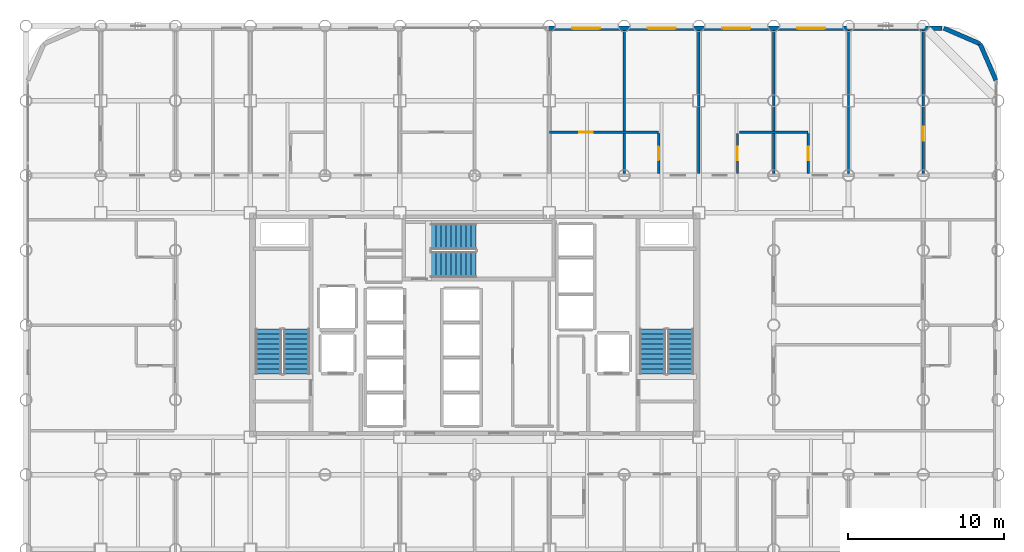
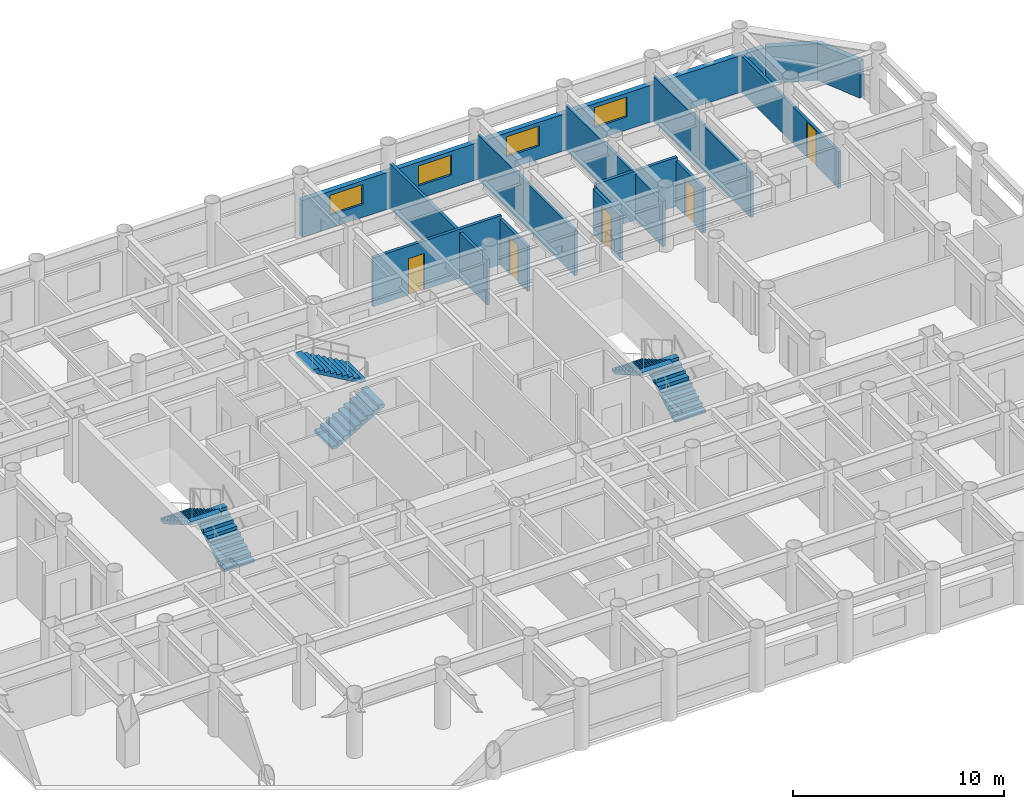
# One storey, part 19 of 20: 13 walls, 6 stair flights, 5 doors, 4 windows, 9 openings, 3 elements without a shape of their own.
"""IFC4 building model written with IfcOpenShell, lengths in metres."""

from ifc_helpers import new_model, si_unit, direction, frame, frame_2d, origin, place, context, subcontext, project, spatial, polyline, rectangle, outline, extrude, material, layer, layer_set, type_object, element, fill, aggregate, save


model = new_model("IFC4")

# Units and contexts
model_context = context("Model", 3, precision=1e-05, world=origin(), true_north=direction((0.0, 1.0)))
body_context = subcontext(model_context, "Body", "Model", "MODEL_VIEW")
ifc_project = project(units=[si_unit("LENGTHUNIT", "METRE"), si_unit("AREAUNIT", "SQUARE_METRE"), si_unit("VOLUMEUNIT", "CUBIC_METRE"), si_unit("PLANEANGLEUNIT", "RADIAN"), si_unit("MASSUNIT", "GRAM", prefix="KILO")], contexts=[model_context])

# Site, building, storey
site_placement = place(None, origin())
site = spatial("IfcSite", under=ifc_project, at=site_placement, CompositionType="ELEMENT")
building_placement = place(site_placement, origin())
building = spatial("IfcBuilding", under=site, at=building_placement, Name="Kallvorn Hotel Tower", CompositionType="ELEMENT")
storey_placement = place(building_placement, frame((0.0, 0.0, 70.699951171875)))
storey = spatial("IfcBuildingStorey", under=building, at=storey_placement, Name="L16", CompositionType="ELEMENT", Elevation=70.699951171875)

# Wall, opening, door
ifc_material_1 = material(Name="Fire-rated double-layer acoustic gypsum drywall EI 60")
ifc_layer_1 = layer(ifc_material_1, 0.159912109375)
ifc_layer_set_1 = layer_set([ifc_layer_1], Name="WL_DEMISE_160")
wall_type_1 = type_object("IfcWallType", Name="WL_DEMISE_160", PredefinedType="PARTITIONING", material=ifc_layer_set_1)
wall_1_placement = place(storey_placement, frame((4.800048828125, 12.3701171875, 0.0), z_axis=(0.0, 0.0, 1.0), x_axis=(1.0, 0.0, 0.0)))
wall_1 = element("IfcWall", 1, at=wall_1_placement, inside=storey, type_object=wall_type_1, Name="L16 Suite 1611 Junior Bedroom Partition", PredefinedType="PARTITIONING", context=body_context, shape_type="SweptSolid", body=[
    extrude(rectangle(XDim=7.010009765625, YDim=0.159912109375, at=frame_2d((3.5048828125, 0.0))), origin(), (0.0, 0.0, 1.0), 2.820068359375),
])
opening_1_placement = place(wall_1_placement, frame((1.929931640625, 0.0, 0.0)))
opening_1 = element("IfcOpeningElement", 2, at=opening_1_placement, cuts=wall_1, Name="Opening BD-I", PredefinedType="OPENING", context=body_context, shape_type="SweptSolid", body=[
    extrude(rectangle(XDim=0.860107421875, YDim=2.10009765625, at=frame_2d((0.43017578125, 1.050048828125))), frame((0.0, 0.094970703125, 0.0), z_axis=(0.0, -1.0, 0.0), x_axis=(1.0, 0.0, 0.0)), (0.0, 0.0, 1.0), 0.18994140625),
])
ifc_material_2 = material(Name="Solid-core walnut veneer fire-rated timber door leaf", Category="wood")
door_type_1 = type_object("IfcDoorType", Name="DR_BATH_860x2100", OperationType="NOTDEFINED", PredefinedType="DOOR", material=ifc_material_2)
door_1_placement = place(opening_1_placement, origin())
door_1 = element("IfcDoor", 3, at=door_1_placement, inside=storey, type_object=door_type_1, Name="L16 Suite 1611 En-Suite Bathroom Door", OperationType="SINGLE_SWING_LEFT", OverallHeight=2.10009765625, OverallWidth=0.860107421875, PredefinedType="DOOR", context=body_context, shape_type="SweptSolid", body=[
    extrude(rectangle(XDim=0.860107421875, YDim=2.10009765625, at=frame_2d((0.43017578125, 1.050048828125))), frame((0.0, 0.02490234375, 0.0), z_axis=(0.0, -1.0, 0.0), x_axis=(1.0, 0.0, 0.0)), (0.0, 0.0, 1.0), 0.050048828125),
])
fill(opening_1, door_1)

# Walls
wall_2_placement = place(storey_placement, frame((16.989990234375, 12.3701171875, 0.0), z_axis=(0.0, 0.0, 1.0), x_axis=(1.0, 0.0, 0.0)))
element("IfcWall", 4, at=wall_2_placement, inside=storey, type_object=wall_type_1, Name="L16 Suite 1613 Standard Twin Room Partition", PredefinedType="PARTITIONING", context=body_context, shape_type="SweptSolid", body=[
    extrude(rectangle(XDim=4.419921875, YDim=0.159912109375, at=frame_2d((2.2099609375, 0.0))), origin(), (0.0, 0.0, 1.0), 2.820068359375),
])
wall_3_placement = place(storey_placement, frame((9.60009765625, 9.719970703125, 0.0), z_axis=(0.0, 0.0, 1.0), x_axis=(0.0, 1.0, 0.0)))
element("IfcWall", 5, at=wall_3_placement, inside=storey, type_object=wall_type_1, Name="L16 Suite 1612 Standard Twin Room Partition", PredefinedType="PARTITIONING", context=body_context, shape_type="SweptSolid", body=[
    extrude(rectangle(XDim=9.18994140625, YDim=0.159912109375, at=frame_2d((4.594970703125, 0.0))), origin(), (0.0, 0.0, 1.0), 2.6201171875),
])

# Wall, opening, door
wall_4_placement = place(storey_placement, frame((11.81005859375, 9.719970703125, 0.0), z_axis=(0.0, 0.0, 1.0), x_axis=(0.0, 1.0, 0.0)))
wall_4 = element("IfcWall", 6, at=wall_4_placement, inside=storey, type_object=wall_type_1, Name="L16 Suite 1612 Standard Twin Room Partition", PredefinedType="PARTITIONING", context=body_context, shape_type="SweptSolid", body=[
    extrude(rectangle(XDim=2.56494140625, YDim=0.159912109375, at=frame_2d((1.282470703125, 0.0))), origin(), (0.0, 0.0, 1.0), 2.6201171875),
])
opening_2_placement = place(wall_4_placement, frame((0.8701171875, 0.0, 0.0)))
opening_2 = element("IfcOpeningElement", 7, at=opening_2_placement, cuts=wall_4, Name="Opening BD-I", PredefinedType="OPENING", context=body_context, shape_type="SweptSolid", body=[
    extrude(rectangle(XDim=0.860107421875, YDim=2.10009765625, at=frame_2d((0.43017578125, 1.050048828125))), frame((0.0, 0.094970703125, 0.0), z_axis=(0.0, -1.0, 0.0), x_axis=(1.0, 0.0, 0.0)), (0.0, 0.0, 1.0), 0.18994140625),
])
door_2_placement = place(opening_2_placement, origin())
door_2 = element("IfcDoor", 8, at=door_2_placement, inside=storey, type_object=door_type_1, Name="L16 Suite 1612 En-Suite Bathroom Door", OperationType="SINGLE_SWING_RIGHT", OverallHeight=2.10009765625, OverallWidth=0.860107421875, PredefinedType="DOOR", context=body_context, shape_type="SweptSolid", body=[
    extrude(rectangle(XDim=0.860107421875, YDim=2.10009765625, at=frame_2d((0.43017578125, 1.050048828125))), frame((0.0, 0.02490234375, 0.0), z_axis=(0.0, -1.0, 0.0), x_axis=(1.0, 0.0, 0.0)), (0.0, 0.0, 1.0), 0.050048828125),
])
fill(opening_2, door_2)

# Wall
wall_5_placement = place(storey_placement, frame((14.39990234375, 9.719970703125, 0.0), z_axis=(0.0, 0.0, 1.0), x_axis=(0.0, 1.0, 0.0)))
element("IfcWall", 9, at=wall_5_placement, inside=storey, type_object=wall_type_1, Name="L16 Suite 1612 Standard Twin Room Partition", PredefinedType="PARTITIONING", context=body_context, shape_type="SweptSolid", body=[
    extrude(rectangle(XDim=9.18994140625, YDim=0.159912109375, at=frame_2d((4.594970703125, 0.0))), origin(), (0.0, 0.0, 1.0), 2.6201171875),
])

# Wall, opening, door
wall_6_placement = place(storey_placement, frame((16.875, 9.719970703125, 0.0), z_axis=(0.0, 0.0, 1.0), x_axis=(0.0, 1.0, 0.0)))
wall_6 = element("IfcWall", 10, at=wall_6_placement, inside=storey, type_object=wall_type_1, Name="L16 Suite 1613 Standard Twin Room Partition", PredefinedType="PARTITIONING", context=body_context, shape_type="SweptSolid", body=[
    extrude(rectangle(XDim=2.56494140625, YDim=0.159912109375, at=frame_2d((1.282470703125, 0.0))), origin(), (0.0, 0.0, 1.0), 2.6201171875),
])
opening_3_placement = place(wall_6_placement, frame((0.8701171875, 0.0, 0.0)))
opening_3 = element("IfcOpeningElement", 11, at=opening_3_placement, cuts=wall_6, Name="Opening BD-I", PredefinedType="OPENING", context=body_context, shape_type="SweptSolid", body=[
    extrude(rectangle(XDim=0.860107421875, YDim=2.10009765625, at=frame_2d((0.43017578125, 1.050048828125))), frame((0.0, 0.094970703125, 0.0), z_axis=(0.0, -1.0, 0.0), x_axis=(1.0, 0.0, 0.0)), (0.0, 0.0, 1.0), 0.18994140625),
])
door_3_placement = place(opening_3_placement, origin())
door_3 = element("IfcDoor", 12, at=door_3_placement, inside=storey, type_object=door_type_1, Name="L16 Suite 1613 En-Suite Bathroom Door", OperationType="SINGLE_SWING_RIGHT", OverallHeight=2.10009765625, OverallWidth=0.860107421875, PredefinedType="DOOR", context=body_context, shape_type="SweptSolid", body=[
    extrude(rectangle(XDim=0.860107421875, YDim=2.10009765625, at=frame_2d((0.43017578125, 1.050048828125))), frame((0.0, 0.02490234375, 0.0), z_axis=(0.0, -1.0, 0.0), x_axis=(1.0, 0.0, 0.0)), (0.0, 0.0, 1.0), 0.050048828125),
])
fill(opening_3, door_3)

# Wall
wall_7_placement = place(storey_placement, frame((19.199951171875, 9.719970703125, 0.0), z_axis=(0.0, 0.0, 1.0), x_axis=(0.0, 1.0, 0.0)))
element("IfcWall", 13, at=wall_7_placement, inside=storey, type_object=wall_type_1, Name="L16 Suite 1613 Standard Twin Room Partition", PredefinedType="PARTITIONING", context=body_context, shape_type="SweptSolid", body=[
    extrude(rectangle(XDim=9.18994140625, YDim=0.159912109375, at=frame_2d((4.594970703125, 0.0))), origin(), (0.0, 0.0, 1.0), 2.6201171875),
])

# Wall, opening, door
wall_8_placement = place(storey_placement, frame((21.409912109375, 9.719970703125, 0.0), z_axis=(0.0, 0.0, 1.0), x_axis=(0.0, 1.0, 0.0)))
wall_8 = element("IfcWall", 14, at=wall_8_placement, inside=storey, type_object=wall_type_1, Name="L16 Suite 1614 Standard Twin Room Partition", PredefinedType="PARTITIONING", context=body_context, shape_type="SweptSolid", body=[
    extrude(rectangle(XDim=2.56494140625, YDim=0.159912109375, at=frame_2d((1.282470703125, 0.0))), origin(), (0.0, 0.0, 1.0), 2.6201171875),
])
opening_4_placement = place(wall_8_placement, frame((0.8701171875, 0.0, 0.0)))
opening_4 = element("IfcOpeningElement", 15, at=opening_4_placement, cuts=wall_8, Name="Opening BD-I", PredefinedType="OPENING", context=body_context, shape_type="SweptSolid", body=[
    extrude(rectangle(XDim=0.860107421875, YDim=2.10009765625, at=frame_2d((0.43017578125, 1.050048828125))), frame((0.0, 0.094970703125, 0.0), z_axis=(0.0, -1.0, 0.0), x_axis=(1.0, 0.0, 0.0)), (0.0, 0.0, 1.0), 0.18994140625),
])
door_4_placement = place(opening_4_placement, origin())
door_4 = element("IfcDoor", 16, at=door_4_placement, inside=storey, type_object=door_type_1, Name="L16 Suite 1614 En-Suite Bathroom Door", OperationType="SINGLE_SWING_RIGHT", OverallHeight=2.10009765625, OverallWidth=0.860107421875, PredefinedType="DOOR", context=body_context, shape_type="SweptSolid", body=[
    extrude(rectangle(XDim=0.860107421875, YDim=2.10009765625, at=frame_2d((0.43017578125, 1.050048828125))), frame((0.0, 0.02490234375, 0.0), z_axis=(0.0, -1.0, 0.0), x_axis=(1.0, 0.0, 0.0)), (0.0, 0.0, 1.0), 0.050048828125),
])
fill(opening_4, door_4)

# Walls
wall_9_placement = place(storey_placement, frame((24.0, 9.719970703125, 0.0), z_axis=(0.0, 0.0, 1.0), x_axis=(0.0, 1.0, 0.0)))
element("IfcWall", 17, at=wall_9_placement, inside=storey, type_object=wall_type_1, Name="L16 Suite 1614 Standard Twin Room Partition", PredefinedType="PARTITIONING", context=body_context, shape_type="SweptSolid", body=[
    extrude(rectangle(XDim=9.18994140625, YDim=0.159912109375, at=frame_2d((4.594970703125, 0.0))), origin(), (0.0, 0.0, 1.0), 2.6201171875),
])
ifc_material_3 = material(Name="Precast basalt-clad insulated concrete wall C40/50", Category="masonry")
ifc_layer_2 = layer(ifc_material_3, 0.280029296875)
ifc_layer_set_2 = layer_set([ifc_layer_2], Name="WL_EXT_LOGGIA_280")
wall_type_2 = type_object("IfcWallType", Name="WL_EXT_LOGGIA_280", PredefinedType="SOLIDWALL", material=ifc_layer_set_2)
wall_10_placement = place(storey_placement, frame((33.4580078125, 15.720703125, 0.0), z_axis=(0.0, 0.0, 1.0), x_axis=(-0.398792985289, 0.917040977756, 0.0)))
element("IfcWall", 18, at=wall_10_placement, inside=storey, type_object=wall_type_2, Name="L16 Rounded Corner Exterior Wall NE1", PredefinedType="SOLIDWALL", context=body_context, shape_type="SweptSolid", body=[
    extrude(rectangle(XDim=2.536376953125, YDim=0.280029296875, at=frame_2d((1.26806640625, 0.0))), origin(), (0.0, 0.0, 1.0), 2.1201171875),
])
wall_11_placement = place(storey_placement, frame((32.446533203125, 18.046630859375, 0.0), z_axis=(0.0, 0.0, 1.0), x_axis=(-0.917060872934, 0.398747232384, 0.0)))
element("IfcWall", 19, at=wall_11_placement, inside=storey, type_object=wall_type_2, Name="L16 Rounded Corner Exterior Wall NE2", PredefinedType="SOLIDWALL", context=body_context, shape_type="SweptSolid", body=[
    extrude(rectangle(XDim=2.5361328125, YDim=0.280029296875, at=frame_2d((1.26806640625, 0.0))), origin(), (0.0, 0.0, 1.0), 2.1201171875),
])

# Wall, openings, windows
wall_12_placement = place(storey_placement, frame((4.75, 19.06005859375, 0.0), z_axis=(0.0, 0.0, 1.0), x_axis=(1.0, 0.0, 0.0)))
wall_12 = element("IfcWall", 20, at=wall_12_placement, inside=storey, type_object=wall_type_2, Name="L16 Exterior Envelope Wall EW-L16-NE", PredefinedType="SOLIDWALL", context=body_context, shape_type="SweptSolid", body=[
    extrude(rectangle(XDim=25.25, YDim=0.280029296875, at=frame_2d((12.625, 0.0))), origin(), (0.0, 0.0, 1.0), 2.1201171875),
])
opening_5_placement = place(wall_12_placement, frame((1.510009765625, 0.0, 0.75)))
opening_5 = element("IfcOpeningElement", 21, at=opening_5_placement, cuts=wall_12, Name="Opening W04A", PredefinedType="OPENING", context=body_context, shape_type="SweptSolid", body=[
    extrude(rectangle(XDim=1.800048828125, YDim=1.14990234375, at=frame_2d((0.89990234375, 0.574951171875))), frame((0.0, 0.155029296875, 0.0), z_axis=(0.0, -1.0, 0.0), x_axis=(1.0, 0.0, 0.0)), (0.0, 0.0, 1.0), 0.31005859375),
])
opening_6_placement = place(wall_12_placement, frame((6.35009765625, 0.0, 0.75)))
opening_6 = element("IfcOpeningElement", 22, at=opening_6_placement, cuts=wall_12, Name="Opening W04A", PredefinedType="OPENING", context=body_context, shape_type="SweptSolid", body=[
    extrude(rectangle(XDim=1.800048828125, YDim=1.14990234375, at=frame_2d((0.89990234375, 0.574951171875))), frame((0.0, 0.155029296875, 0.0), z_axis=(0.0, -1.0, 0.0), x_axis=(1.0, 0.0, 0.0)), (0.0, 0.0, 1.0), 0.31005859375),
])
opening_7_placement = place(wall_12_placement, frame((11.14990234375, 0.0, 0.75)))
opening_7 = element("IfcOpeningElement", 23, at=opening_7_placement, cuts=wall_12, Name="Opening W04A", PredefinedType="OPENING", context=body_context, shape_type="SweptSolid", body=[
    extrude(rectangle(XDim=1.800048828125, YDim=1.14990234375, at=frame_2d((0.89990234375, 0.574951171875))), frame((0.0, 0.155029296875, 0.0), z_axis=(0.0, -1.0, 0.0), x_axis=(1.0, 0.0, 0.0)), (0.0, 0.0, 1.0), 0.31005859375),
])
opening_8_placement = place(wall_12_placement, frame((15.949951171875, 0.0, 0.75)))
opening_8 = element("IfcOpeningElement", 24, at=opening_8_placement, cuts=wall_12, Name="Opening W04A", PredefinedType="OPENING", context=body_context, shape_type="SweptSolid", body=[
    extrude(rectangle(XDim=1.800048828125, YDim=1.14990234375, at=frame_2d((0.89990234375, 0.574951171875))), frame((0.0, 0.155029296875, 0.0), z_axis=(0.0, -1.0, 0.0), x_axis=(1.0, 0.0, 0.0)), (0.0, 0.0, 1.0), 0.31005859375),
])
ifc_material_4 = material(Name="Double-glazed low-e solar-control dark glass", Category="glass")
window_type = type_object("IfcWindowType", Name="WN_HTL_1800x1150", PartitioningType="SINGLE_PANEL", PredefinedType="WINDOW", material=ifc_material_4)
window_1_placement = place(opening_5_placement, origin())
window_1 = element("IfcWindow", 25, at=window_1_placement, inside=storey, type_object=window_type, Name="L16 Guestroom Exterior Window 11", OverallHeight=1.14990234375, OverallWidth=1.800048828125, PartitioningType="SINGLE_PANEL", PredefinedType="WINDOW", context=body_context, shape_type="SweptSolid", body=[
    extrude(rectangle(XDim=1.800048828125, YDim=1.14990234375, at=frame_2d((0.89990234375, 0.574951171875))), frame((0.0, 0.030029296875, 0.0), z_axis=(0.0, -1.0, 0.0), x_axis=(1.0, 0.0, 0.0)), (0.0, 0.0, 1.0), 0.06005859375),
])
fill(opening_5, window_1)
window_2_placement = place(opening_6_placement, origin())
window_2 = element("IfcWindow", 26, at=window_2_placement, inside=storey, type_object=window_type, Name="L16 Guestroom Exterior Window 12", OverallHeight=1.14990234375, OverallWidth=1.800048828125, PartitioningType="SINGLE_PANEL", PredefinedType="WINDOW", context=body_context, shape_type="SweptSolid", body=[
    extrude(rectangle(XDim=1.800048828125, YDim=1.14990234375, at=frame_2d((0.89990234375, 0.574951171875))), frame((0.0, 0.030029296875, 0.0), z_axis=(0.0, -1.0, 0.0), x_axis=(1.0, 0.0, 0.0)), (0.0, 0.0, 1.0), 0.06005859375),
])
fill(opening_6, window_2)
window_3_placement = place(opening_7_placement, origin())
window_3 = element("IfcWindow", 27, at=window_3_placement, inside=storey, type_object=window_type, Name="L16 Guestroom Exterior Window 13", OverallHeight=1.14990234375, OverallWidth=1.800048828125, PartitioningType="SINGLE_PANEL", PredefinedType="WINDOW", context=body_context, shape_type="SweptSolid", body=[
    extrude(rectangle(XDim=1.800048828125, YDim=1.14990234375, at=frame_2d((0.89990234375, 0.574951171875))), frame((0.0, 0.030029296875, 0.0), z_axis=(0.0, -1.0, 0.0), x_axis=(1.0, 0.0, 0.0)), (0.0, 0.0, 1.0), 0.06005859375),
])
fill(opening_7, window_3)
window_4_placement = place(opening_8_placement, origin())
window_4 = element("IfcWindow", 28, at=window_4_placement, inside=storey, type_object=window_type, Name="L16 Guestroom Exterior Window 14", OverallHeight=1.14990234375, OverallWidth=1.800048828125, PartitioningType="SINGLE_PANEL", PredefinedType="WINDOW", context=body_context, shape_type="SweptSolid", body=[
    extrude(rectangle(XDim=1.800048828125, YDim=1.14990234375, at=frame_2d((0.89990234375, 0.574951171875))), frame((0.0, 0.030029296875, 0.0), z_axis=(0.0, -1.0, 0.0), x_axis=(1.0, 0.0, 0.0)), (0.0, 0.0, 1.0), 0.06005859375),
])
fill(opening_8, window_4)

# Wall, opening, door
ifc_material_5 = material(Name="Fire-rated double-layer acoustic gypsum drywall EI 60")
ifc_layer_3 = layer(ifc_material_5, 0.14990234375)
ifc_layer_set_3 = layer_set([ifc_layer_3], Name="WL_PART_150")
wall_type_3 = type_object("IfcWallType", Name="WL_PART_150", PredefinedType="PARTITIONING", material=ifc_layer_set_3)
wall_13_placement = place(storey_placement, frame((28.800048828125, 9.719970703125, 0.0), z_axis=(0.0, 0.0, 1.0), x_axis=(0.0, 1.0, 0.0)))
wall_13 = element("IfcWall", 29, at=wall_13_placement, inside=storey, type_object=wall_type_3, Name="L16 L16 North-East Reading Club A Partition", PredefinedType="PARTITIONING", context=body_context, shape_type="SweptSolid", body=[
    extrude(rectangle(XDim=9.18994140625, YDim=0.14990234375, at=frame_2d((4.594970703125, 0.0))), origin(), (0.0, 0.0, 1.0), 2.1201171875),
])
opening_9_placement = place(wall_13_placement, frame((2.10791015625, 0.0, 0.0)))
opening_9 = element("IfcOpeningElement", 30, at=opening_9_placement, cuts=wall_13, Name="Opening SVD1A", PredefinedType="OPENING", context=body_context, shape_type="SweptSolid", body=[
    extrude(rectangle(XDim=0.89990234375, YDim=2.02001953125, at=frame_2d((0.449951171875, 1.010009765625))), frame((0.0, 0.08984375, 0.0), z_axis=(0.0, -1.0, 0.0), x_axis=(1.0, 0.0, 0.0)), (0.0, 0.0, 1.0), 0.179931640625),
])
ifc_material_6 = material(Name="Galvanised painted steel fire-rated door assembly", Category="steel")
door_type_2 = type_object("IfcDoorType", Name="DR_SERV_900x2020", OperationType="NOTDEFINED", PredefinedType="DOOR", material=ifc_material_6)
door_5_placement = place(opening_9_placement, origin())
door_5 = element("IfcDoor", 31, at=door_5_placement, inside=storey, type_object=door_type_2, Name="L16 L16 North-East Reading Club B Door", OperationType="SINGLE_SWING_RIGHT", OverallHeight=2.02001953125, OverallWidth=0.89990234375, PredefinedType="DOOR", context=body_context, shape_type="SweptSolid", body=[
    extrude(rectangle(XDim=0.89990234375, YDim=2.02001953125, at=frame_2d((0.449951171875, 1.010009765625))), frame((0.0, 0.02490234375, 0.0), z_axis=(0.0, -1.0, 0.0), x_axis=(1.0, 0.0, 0.0)), (0.0, 0.0, 1.0), 0.050048828125),
])
fill(opening_9, door_5)

# Stair, stair flights
ifc_material_7 = material(Name="Precast concrete C40/50", Category="concrete")
stair_type = type_object("IfcStairType", Name="STR_CORE_DOGLEG", PredefinedType="HALF_TURN_STAIR", material=ifc_material_7)
stair_1_placement = place(storey_placement, origin())
stair_1 = element("IfcStair", 32, at=stair_1_placement, inside=storey, type_object=stair_type, Name="L16 Exit stair ST1", PredefinedType="HALF_TURN_STAIR")
ifc_material_8 = material(Name="Precast concrete C40/50", Category="concrete")
stair_flight_type = type_object("IfcStairFlightType", Name="FLT_CORE_1660", PredefinedType="STRAIGHT", material=ifc_material_8)
stair_flight_1_placement = place(storey_placement, frame((-11.429931640625, -3.139892578125, 0.0), z_axis=(0.0, 0.0, 1.0), x_axis=(0.0, 1.0, 0.0)))
stair_flight_1 = element("IfcStairFlight", 33, at=stair_flight_1_placement, type_object=stair_flight_type, Name="ST1 flight 1", NumberOfRisers=10, NumberOfTreads=9, PredefinedType="STRAIGHT", RiserHeight=0.185, TreadLength=0.32, context=body_context, shape_type="SweptSolid", body=[
    extrude(outline(polyline([(0.0, 0.0), (0.0, 0.18505859375), (0.320068359375, 0.18505859375), (0.320068359375, 0.3701171875), (0.639892578125, 0.3701171875), (0.639892578125, 0.554931640625), (0.9599609375, 0.554931640625), (0.9599609375, 0.739990234375), (1.280029296875, 0.739990234375), (1.280029296875, 0.925048828125), (1.60009765625, 0.925048828125), (1.60009765625, 1.110107421875), (1.919921875, 1.110107421875), (1.919921875, 1.294921875), (2.239990234375, 1.294921875), (2.239990234375, 1.47998046875), (2.56005859375, 1.47998046875), (2.56005859375, 1.6650390625), (2.8798828125, 1.6650390625), (2.8798828125, 1.85009765625), (2.8798828125, 1.491943359375), (0.299560546875, 0.0), (0.0, 0.0)])), frame((0.0, 0.830078125, 0.0), z_axis=(0.0, -1.0, 0.0), x_axis=(1.0, 0.0, 0.0)), (0.0, 0.0, 1.0), 1.659912109375),
])
stair_flight_2_placement = place(storey_placement, frame((-13.22998046875, -0.260009765625, 1.85009765625), z_axis=(0.0, 0.0, 1.0), x_axis=(0.0, -1.0, 0.0)))
stair_flight_2 = element("IfcStairFlight", 34, at=stair_flight_2_placement, type_object=stair_flight_type, Name="ST1 flight 2", NumberOfRisers=10, NumberOfTreads=9, PredefinedType="STRAIGHT", RiserHeight=0.185, TreadLength=0.32, context=body_context, shape_type="SweptSolid", body=[
    extrude(outline(polyline([(0.0, 0.0), (0.0, 0.18505859375), (0.320068359375, 0.18505859375), (0.320068359375, 0.3701171875), (0.639892578125, 0.3701171875), (0.639892578125, 0.554931640625), (0.9599609375, 0.554931640625), (0.9599609375, 0.739990234375), (1.280029296875, 0.739990234375), (1.280029296875, 0.925048828125), (1.60009765625, 0.925048828125), (1.60009765625, 1.110107421875), (1.919921875, 1.110107421875), (1.919921875, 1.294921875), (2.239990234375, 1.294921875), (2.239990234375, 1.47998046875), (2.56005859375, 1.47998046875), (2.56005859375, 1.6650390625), (2.8798828125, 1.6650390625), (2.8798828125, 1.85009765625), (2.8798828125, 1.491943359375), (0.299560546875, 0.0), (0.0, 0.0)])), frame((0.0, 0.830078125, 0.0), z_axis=(0.0, -1.0, 0.0), x_axis=(1.0, 0.0, 0.0)), (0.0, 0.0, 1.0), 1.659912109375),
])
aggregate(stair_1, [stair_flight_1, stair_flight_2])

stair_2_placement = place(storey_placement, origin())
stair_2 = element("IfcStair", 35, at=stair_2_placement, inside=storey, type_object=stair_type, Name="L16 Exit stair ST2", PredefinedType="HALF_TURN_STAIR")
stair_flight_3_placement = place(storey_placement, frame((13.22998046875, -3.139892578125, 0.0), z_axis=(0.0, 0.0, 1.0), x_axis=(0.0, 1.0, 0.0)))
stair_flight_3 = element("IfcStairFlight", 36, at=stair_flight_3_placement, type_object=stair_flight_type, Name="ST2 flight 1", NumberOfRisers=10, NumberOfTreads=9, PredefinedType="STRAIGHT", RiserHeight=0.185, TreadLength=0.32, context=body_context, shape_type="SweptSolid", body=[
    extrude(outline(polyline([(0.0, 0.0), (0.0, 0.18505859375), (0.320068359375, 0.18505859375), (0.320068359375, 0.3701171875), (0.639892578125, 0.3701171875), (0.639892578125, 0.554931640625), (0.9599609375, 0.554931640625), (0.9599609375, 0.739990234375), (1.280029296875, 0.739990234375), (1.280029296875, 0.925048828125), (1.60009765625, 0.925048828125), (1.60009765625, 1.110107421875), (1.919921875, 1.110107421875), (1.919921875, 1.294921875), (2.239990234375, 1.294921875), (2.239990234375, 1.47998046875), (2.56005859375, 1.47998046875), (2.56005859375, 1.6650390625), (2.8798828125, 1.6650390625), (2.8798828125, 1.85009765625), (2.8798828125, 1.491943359375), (0.299560546875, 0.0), (0.0, 0.0)])), frame((0.0, 0.830078125, 0.0), z_axis=(0.0, -1.0, 0.0), x_axis=(1.0, 0.0, 0.0)), (0.0, 0.0, 1.0), 1.659912109375),
])
stair_flight_4_placement = place(storey_placement, frame((11.429931640625, -0.260009765625, 1.85009765625), z_axis=(0.0, 0.0, 1.0), x_axis=(0.0, -1.0, 0.0)))
stair_flight_4 = element("IfcStairFlight", 37, at=stair_flight_4_placement, type_object=stair_flight_type, Name="ST2 flight 2", NumberOfRisers=10, NumberOfTreads=9, PredefinedType="STRAIGHT", RiserHeight=0.185, TreadLength=0.32, context=body_context, shape_type="SweptSolid", body=[
    extrude(outline(polyline([(0.0, 0.0), (0.0, 0.18505859375), (0.320068359375, 0.18505859375), (0.320068359375, 0.3701171875), (0.639892578125, 0.3701171875), (0.639892578125, 0.554931640625), (0.9599609375, 0.554931640625), (0.9599609375, 0.739990234375), (1.280029296875, 0.739990234375), (1.280029296875, 0.925048828125), (1.60009765625, 0.925048828125), (1.60009765625, 1.110107421875), (1.919921875, 1.110107421875), (1.919921875, 1.294921875), (2.239990234375, 1.294921875), (2.239990234375, 1.47998046875), (2.56005859375, 1.47998046875), (2.56005859375, 1.6650390625), (2.8798828125, 1.6650390625), (2.8798828125, 1.85009765625), (2.8798828125, 1.491943359375), (0.299560546875, 0.0), (0.0, 0.0)])), frame((0.0, 0.830078125, 0.0), z_axis=(0.0, -1.0, 0.0), x_axis=(1.0, 0.0, 0.0)), (0.0, 0.0, 1.0), 1.659912109375),
])
aggregate(stair_2, [stair_flight_3, stair_flight_4])

stair_3_placement = place(storey_placement, origin())
stair_3 = element("IfcStair", 38, at=stair_3_placement, inside=storey, type_object=stair_type, Name="L16 Exit stair ST3", PredefinedType="HALF_TURN_STAIR")
stair_flight_5_placement = place(storey_placement, frame((-2.7900390625, 3.8798828125, 0.0), z_axis=(0.0, 0.0, 1.0), x_axis=(1.0, 0.0, 0.0)))
stair_flight_5 = element("IfcStairFlight", 39, at=stair_flight_5_placement, type_object=stair_flight_type, Name="ST3 flight 1", NumberOfRisers=10, NumberOfTreads=9, PredefinedType="STRAIGHT", RiserHeight=0.185, TreadLength=0.32, context=body_context, shape_type="SweptSolid", body=[
    extrude(outline(polyline([(0.0, 0.0), (0.0, 0.18505859375), (0.320068359375, 0.18505859375), (0.320068359375, 0.3701171875), (0.639892578125, 0.3701171875), (0.639892578125, 0.554931640625), (0.9599609375, 0.554931640625), (0.9599609375, 0.739990234375), (1.280029296875, 0.739990234375), (1.280029296875, 0.925048828125), (1.60009765625, 0.925048828125), (1.60009765625, 1.110107421875), (1.919921875, 1.110107421875), (1.919921875, 1.294921875), (2.239990234375, 1.294921875), (2.239990234375, 1.47998046875), (2.56005859375, 1.47998046875), (2.56005859375, 1.6650390625), (2.8798828125, 1.6650390625), (2.8798828125, 1.85009765625), (2.8798828125, 1.491943359375), (0.299560546875, 0.0), (0.0, 0.0)])), frame((0.0, 0.830078125, 0.0), z_axis=(0.0, -1.0, 0.0), x_axis=(1.0, 0.0, 0.0)), (0.0, 0.0, 1.0), 1.659912109375),
])
stair_flight_6_placement = place(storey_placement, frame((0.090087890625, 5.679931640625, 1.85009765625), z_axis=(0.0, 0.0, 1.0), x_axis=(-1.0, 0.0, 0.0)))
stair_flight_6 = element("IfcStairFlight", 40, at=stair_flight_6_placement, type_object=stair_flight_type, Name="ST3 flight 2", NumberOfRisers=10, NumberOfTreads=9, PredefinedType="STRAIGHT", RiserHeight=0.185, TreadLength=0.32, context=body_context, shape_type="SweptSolid", body=[
    extrude(outline(polyline([(0.0, 0.0), (0.0, 0.18505859375), (0.320068359375, 0.18505859375), (0.320068359375, 0.3701171875), (0.639892578125, 0.3701171875), (0.639892578125, 0.554931640625), (0.9599609375, 0.554931640625), (0.9599609375, 0.739990234375), (1.280029296875, 0.739990234375), (1.280029296875, 0.925048828125), (1.60009765625, 0.925048828125), (1.60009765625, 1.110107421875), (1.919921875, 1.110107421875), (1.919921875, 1.294921875), (2.239990234375, 1.294921875), (2.239990234375, 1.47998046875), (2.56005859375, 1.47998046875), (2.56005859375, 1.6650390625), (2.8798828125, 1.6650390625), (2.8798828125, 1.85009765625), (2.8798828125, 1.491943359375), (0.299560546875, 0.0), (0.0, 0.0)])), frame((0.0, 0.830078125, 0.0), z_axis=(0.0, -1.0, 0.0), x_axis=(1.0, 0.0, 0.0)), (0.0, 0.0, 1.0), 1.659912109375),
])
aggregate(stair_3, [stair_flight_5, stair_flight_6])

save(model, "model.ifc")
